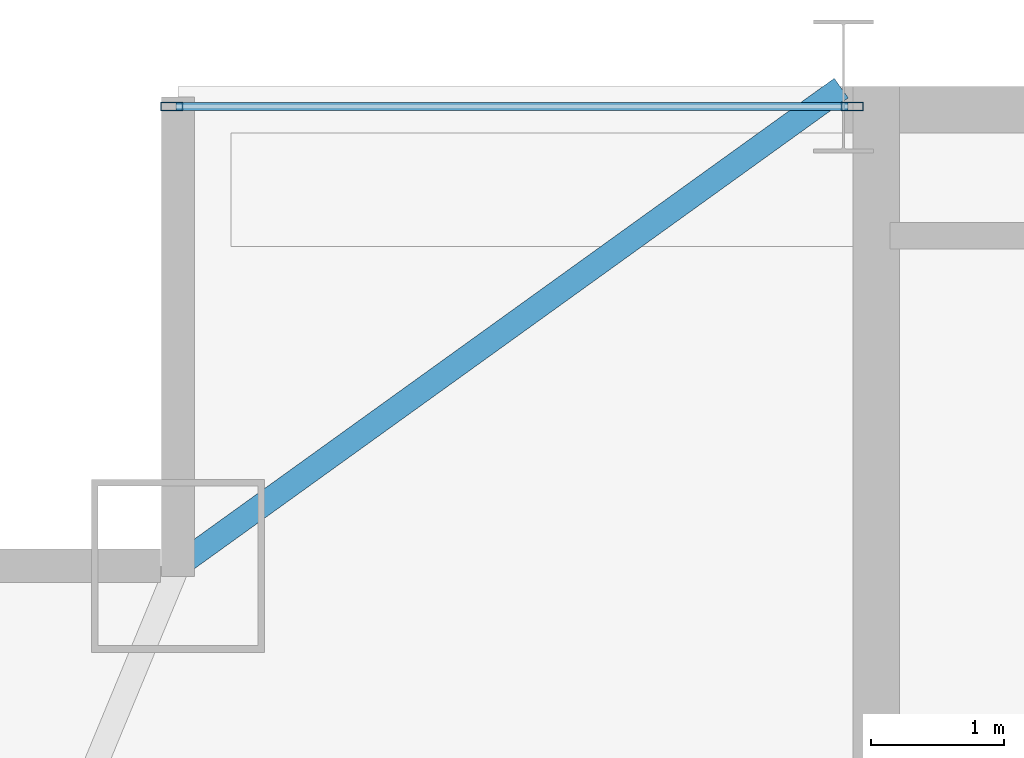
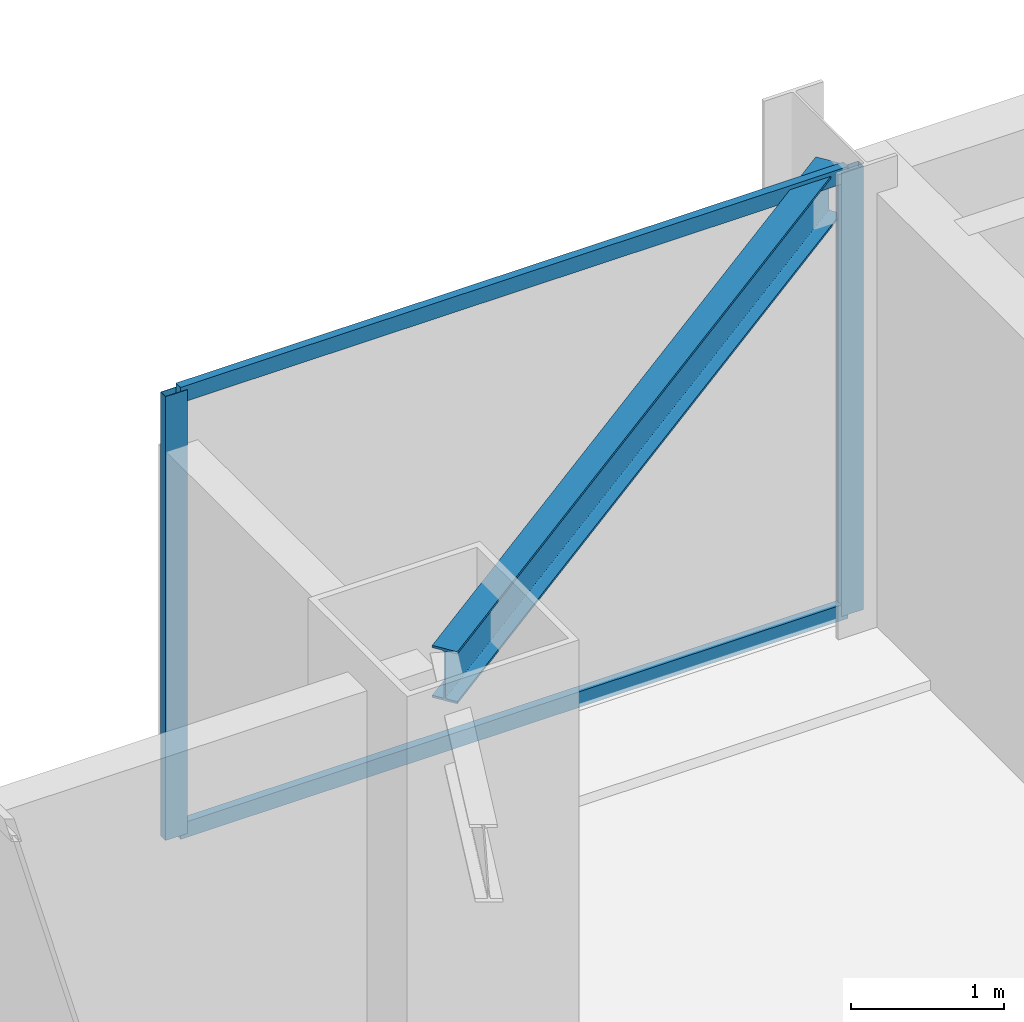
# One storey, part 21 of 33: 4 members, 1 beam, 1 element without a shape of its own.
"""IFC4 building model written with IfcOpenShell, lengths in metres."""

from ifc_helpers import new_model, si_unit, direction, frame, origin, origin_2d, place, context, subcontext, project, spatial, hollow_rectangle, i_section, extrude, source, transform, mapped, material, layer, layer_set, material_profile, profile_set, type_object, type_shapes, element, aggregate, save


model = new_model("IFC4")

# Units and contexts
model_context = context("Model", 3, precision=1e-05, world=origin(), true_north=direction((0.0, 1.0)))
body_context = subcontext(model_context, "Body", "Model", "MODEL_VIEW")
ifc_project = project(units=[si_unit("LENGTHUNIT", "METRE"), si_unit("AREAUNIT", "SQUARE_METRE"), si_unit("VOLUMEUNIT", "CUBIC_METRE"), si_unit("PLANEANGLEUNIT", "RADIAN"), si_unit("MASSUNIT", "GRAM", prefix="KILO")], contexts=[model_context])

# Site, building, storey
site_placement = place(None, origin())
site = spatial("IfcSite", under=ifc_project, at=site_placement, CompositionType="ELEMENT")
building_placement = place(site_placement, origin())
building = spatial("IfcBuilding", under=site, at=building_placement, Name="Varnel Quay Broadcast Tower", CompositionType="ELEMENT")
storey_placement = place(building_placement, frame((0.0, 0.0, 145.800048828125)))
storey = spatial("IfcBuildingStorey", under=building, at=storey_placement, Name="L35", CompositionType="ELEMENT", Elevation=145.800048828125)

# Beam
ifc_material_1 = material(Name="Structural Steel CSA G40.21 350W", Category="steel")
ifc_material_profile_1 = material_profile(ifc_material_1, i_section(OverallWidth=0.180908203125, OverallDepth=0.4169921875, WebThickness=0.010986328125, FlangeThickness=0.018310546875, FilletRadius=0.011962890625, at=origin_2d()), Name="W410X85")
ifc_profile_set_1 = profile_set([ifc_material_profile_1], Name="Structural Steel CSA G40.21 350W")
beam_type = type_object("IfcBeamType", Name="Beam_W410X85", PredefinedType="SPANDREL", material=ifc_profile_set_1)
shared_shape_1 = source(origin(), body_context, "Body", "SweptSolid", [
    extrude(i_section(OverallWidth=0.180908203125, OverallDepth=0.4169921875, WebThickness=0.010986328125, FlangeThickness=0.018310546875, FilletRadius=0.011962890625, at=origin_2d()), origin(), (0.0, 0.0, 1.0), 6.12109375),
])
type_shapes(beam_type, [shared_shape_1])
beam_placement = place(storey_placement, frame((10.6162109375, 43.211669921875, 3.341552734375), z_axis=(0.811531315425, 0.584308928637, 0.0), x_axis=(-0.584308928637, 0.811531315425, 0.0)))
element("IfcBeam", 1, at=beam_placement, inside=storey, type_object=beam_type, Name="L35 NW Tie Spandrel", PredefinedType="SPANDREL", context=body_context, shape_type="MappedRepresentation", body=[
    mapped(shared_shape_1, transform((0.0, 0.0, 0.0), x_axis=(1.0, 0.0, 0.0), y_axis=(0.0, 1.0, 0.0), z_axis=(0.0, 0.0, 1.0), scale=1.0)),
])

# Curtain wall, members
ifc_material_2 = material(Name="Anodised Bronze Aluminium 6063-T6", Category="aluminium")
ifc_layer = layer(ifc_material_2, 0.18994140625, Name="Anodised Bronze Aluminium 6063-T6")
ifc_layer_set = layer_set([ifc_layer], Name="Anodised Bronze Aluminium 6063-T6")
curtain_wall_type = type_object("IfcCurtainWallType", Name="CW_UpperTower", PredefinedType="NOTDEFINED", material=ifc_layer_set)
curtain_wall_placement = place(storey_placement, origin())
curtain_wall = element("IfcCurtainWall", 2, at=curtain_wall_placement, inside=storey, type_object=curtain_wall_type, Name="L35 NW Wing Curtain Wall", PredefinedType="NOTDEFINED")
ifc_material_profile_2 = material_profile(ifc_material_2, hollow_rectangle(XDim=0.06494140625, YDim=0.1650390625, WallThickness=0.00341796875, at=origin_2d()), Name="ALU65X165X3.5")
ifc_profile_set_2 = profile_set([ifc_material_profile_2], Name="Anodised Bronze Aluminium 6063-T6")
member_type_1 = type_object("IfcMemberType", Name="Mull_CWS-03", PredefinedType="MULLION", material=ifc_profile_set_2)
shared_shape_2 = source(origin(), body_context, "Body", "SweptSolid", [
    extrude(hollow_rectangle(XDim=0.06494140625, YDim=0.1650390625, WallThickness=0.00341796875, at=origin_2d()), origin(), (0.0, 0.0, 1.0), 3.550048828125),
])
type_shapes(member_type_1, [shared_shape_2])
member_1_placement = place(storey_placement, frame((10.552490234375, 46.64990234375, 0.0), z_axis=(0.0, 0.0, 1.0), x_axis=(0.0, 1.0, 0.0)))
member_1 = element("IfcMember", 3, at=member_1_placement, type_object=member_type_1, Name="CWS-03 mullion 1", PredefinedType="MULLION", context=body_context, shape_type="MappedRepresentation", body=[
    mapped(shared_shape_2, transform((0.0, 0.0, 0.0), x_axis=(1.0, 0.0, 0.0), y_axis=(0.0, 1.0, 0.0), z_axis=(0.0, 0.0, 1.0), scale=1.0)),
])
member_2_placement = place(storey_placement, frame((15.66748046875, 46.64990234375, 0.0), z_axis=(0.0, 0.0, 1.0), x_axis=(0.0, 1.0, 0.0)))
member_2 = element("IfcMember", 4, at=member_2_placement, type_object=member_type_1, Name="CWS-03 mullion 2", PredefinedType="MULLION", context=body_context, shape_type="MappedRepresentation", body=[
    mapped(shared_shape_2, transform((0.0, 0.0, 0.0), x_axis=(1.0, 0.0, 0.0), y_axis=(0.0, 1.0, 0.0), z_axis=(0.0, 0.0, 1.0), scale=1.0)),
])
ifc_material_profile_3 = material_profile(ifc_material_2, hollow_rectangle(XDim=0.06005859375, YDim=0.125, WallThickness=0.0029296875, at=origin_2d()), Name="ALU60X125X3")
ifc_profile_set_3 = profile_set([ifc_material_profile_3], Name="Anodised Bronze Aluminium 6063-T6")
member_type_2 = type_object("IfcMemberType", Name="Tran_CWS-03", PredefinedType="USERDEFINED", material=ifc_profile_set_3)
shared_shape_3 = source(origin(), body_context, "Body", "SweptSolid", [
    extrude(hollow_rectangle(XDim=0.06005859375, YDim=0.125, WallThickness=0.0029296875, at=origin_2d()), origin(), (0.0, 0.0, 1.0), 5.050048828125),
])
type_shapes(member_type_2, [shared_shape_3])
member_3_placement = place(storey_placement, frame((10.5849609375, 46.64990234375, 0.030029296875), z_axis=(1.0, 0.0, 0.0), x_axis=(0.0, 1.0, 0.0)))
member_3 = element("IfcMember", 5, at=member_3_placement, type_object=member_type_2, Name="CWS-03 transom 1.1", ObjectType="TRANSOM", PredefinedType="USERDEFINED", context=body_context, shape_type="MappedRepresentation", body=[
    mapped(shared_shape_3, transform((0.0, 0.0, 0.0), x_axis=(1.0, 0.0, 0.0), y_axis=(0.0, 1.0, 0.0), z_axis=(0.0, 0.0, 1.0), scale=1.0)),
])
member_4_placement = place(storey_placement, frame((10.5849609375, 46.64990234375, 3.52001953125), z_axis=(1.0, 0.0, 0.0), x_axis=(0.0, 1.0, 0.0)))
member_4 = element("IfcMember", 6, at=member_4_placement, type_object=member_type_2, Name="CWS-03 transom 1.2", ObjectType="TRANSOM", PredefinedType="USERDEFINED", context=body_context, shape_type="MappedRepresentation", body=[
    mapped(shared_shape_3, transform((0.0, 0.0, 0.0), x_axis=(1.0, 0.0, 0.0), y_axis=(0.0, 1.0, 0.0), z_axis=(0.0, 0.0, 1.0), scale=1.0)),
])
aggregate(curtain_wall, [member_1, member_2, member_3, member_4])

save(model, "model.ifc")
